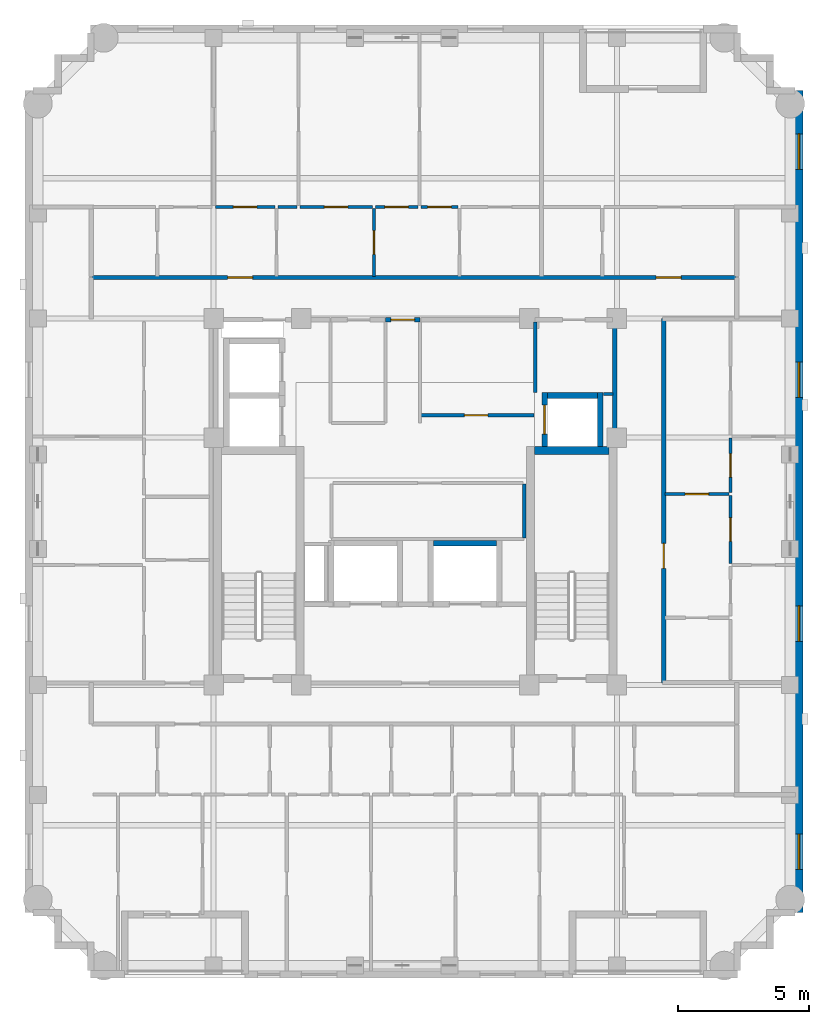
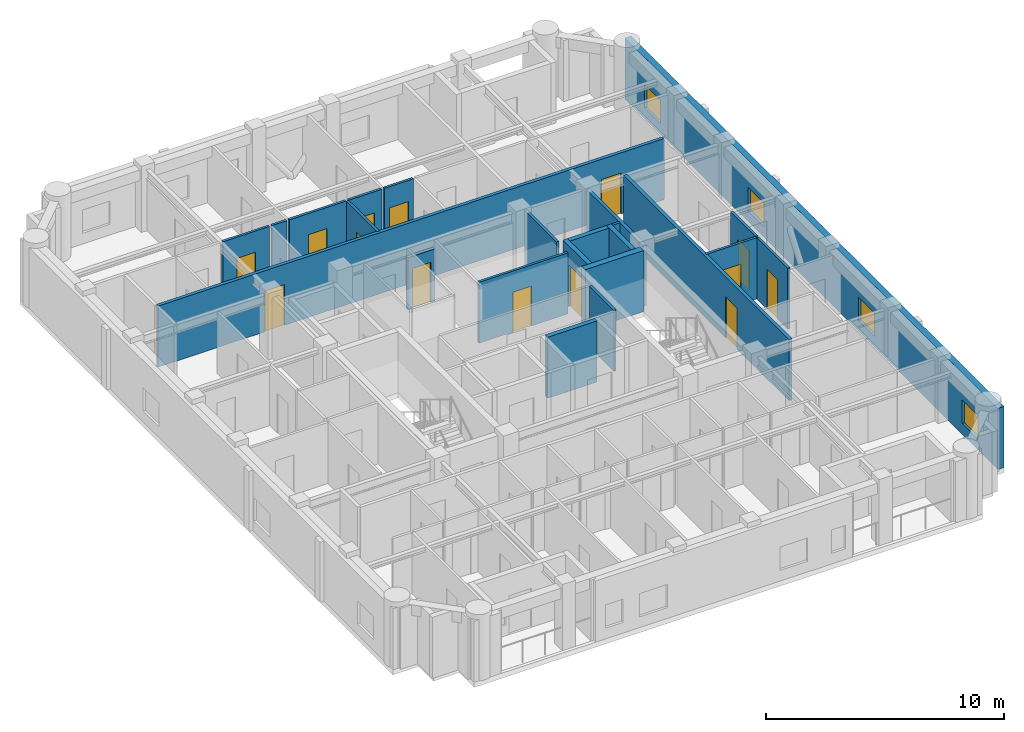
# One storey, part 6 of 11: 23 walls, 14 doors, 4 windows, 18 openings.
"""IFC4 building model written with IfcOpenShell, lengths in metres."""

import ifcopenshell
import ifcopenshell.guid

model = None  # the IFC model being written
_history = None  # IfcOwnerHistory: only IFC2X3 demands one
_inside = {}  # id of a spatial element -> (the spatial element, [elements in it])
_under = {}  # id of a project, library or spatial element -> (it, [spatial elements below it])
_declared = {}  # id of a project -> (the project, [libraries it declares])
_typed = {}  # id of a type object -> (the type object, [elements of that type])
_made_of = {}  # id of a material, layer set ... -> (it, [elements and type objects made of it])


def new_model(schema):
    """Start an empty IFC model of exactly this schema.

    Asked for "IFC4X3", IfcOpenShell would pick the latest addendum, in which some entities
    have other attributes; the version numbers below select the first issue.
    IFC2X3 requires an IfcOwnerHistory on every rooted entity: one is made here for all.
    """
    global model, _history
    if schema == "IFC4X3":
        model = ifcopenshell.file(schema_version=(4, 3, 0, 0))
    else:
        model = ifcopenshell.file(schema=schema)
    _inside.clear()
    _under.clear()
    _declared.clear()
    _typed.clear()
    _made_of.clear()
    _history = None
    if model.schema == "IFC2X3":
        org = make("IfcOrganization", Name="unknown")
        user = make(
            "IfcPersonAndOrganization",
            ThePerson=make("IfcPerson", FamilyName="unknown"),
            TheOrganization=org,
        )
        app = make(
            "IfcApplication",
            ApplicationDeveloper=org,
            Version="unknown",
            ApplicationFullName="unknown",
            ApplicationIdentifier="unknown",
        )
        _history = make(
            "IfcOwnerHistory",
            OwningUser=user,
            OwningApplication=app,
            ChangeAction="ADDED",
            CreationDate=0,
        )
    return model


def make(cls, **values):
    """One entity of the class cls with the attributes given. An attribute that is None is left unset."""
    return model.create_entity(
        cls, **{name: value for name, value in values.items() if value is not None}
    )


def rooted(cls, **values):
    """An entity with a GlobalId (a new one), such as an element, a storey or a relation."""
    return make(cls, GlobalId=ifcopenshell.guid.new(), OwnerHistory=_history, **values)


def si_unit(unit_type, name, prefix=None):
    """IfcSIUnit, for example si_unit("LENGTHUNIT", "METRE", prefix="MILLI")."""
    return make("IfcSIUnit", UnitType=unit_type, Prefix=prefix, Name=name)


def derived_unit(unit_type, elements):
    """IfcDerivedUnit: a product of units, each with its exponent."""
    return make(
        "IfcDerivedUnit",
        Elements=[
            make("IfcDerivedUnitElement", Unit=unit, Exponent=power)
            for unit, power in elements
        ],
        UnitType=unit_type,
    )


def assignment(units):
    """IfcUnitAssignment: the units of a project."""
    return None if units is None else make("IfcUnitAssignment", Units=units)


def point(xyz):
    """IfcCartesianPoint."""
    return None if xyz is None else make("IfcCartesianPoint", Coordinates=xyz)


def direction(xyz):
    """IfcDirection."""
    return None if xyz is None else make("IfcDirection", DirectionRatios=xyz)


def frame(location, z_axis=None, x_axis=None):
    """IfcAxis2Placement3D, a coordinate frame: its origin and axes. An axis left out is left unset."""
    return make(
        "IfcAxis2Placement3D",
        Location=point(location),
        Axis=direction(z_axis),
        RefDirection=direction(x_axis),
    )


def frame_2d(location, x_axis=None):
    """IfcAxis2Placement2D, a coordinate frame in the plane: its origin and x axis."""
    return make(
        "IfcAxis2Placement2D", Location=point(location), RefDirection=direction(x_axis)
    )


def origin():
    """The frame at (0, 0, 0) with its axes left unset."""
    return frame((0.0, 0.0, 0.0))


def place(relative_to, where):
    """IfcLocalPlacement: puts the frame where relative to a parent placement (None: the world)."""
    return make(
        "IfcLocalPlacement", PlacementRelTo=relative_to, RelativePlacement=where
    )


def context(
    kind, dimensions, precision=None, world=None, true_north=None, identifier=None
):
    """IfcGeometricRepresentationContext, for example the 3D "Model" context."""
    return make(
        "IfcGeometricRepresentationContext",
        ContextIdentifier=identifier,
        ContextType=kind,
        CoordinateSpaceDimension=dimensions,
        Precision=precision,
        WorldCoordinateSystem=world,
        TrueNorth=true_north,
    )


def subcontext(parent, identifier, kind, view, scale=None):
    """IfcGeometricRepresentationSubContext, for example "Body" below "Model"."""
    return make(
        "IfcGeometricRepresentationSubContext",
        ContextIdentifier=identifier,
        ContextType=kind,
        ParentContext=parent,
        TargetScale=scale,
        TargetView=view,
    )


def project(units=None, contexts=None):
    """IfcProject with its units and contexts."""
    return rooted(
        "IfcProject",
        Name="project",
        RepresentationContexts=contexts,
        UnitsInContext=assignment(units),
    )


def spatial(cls, under=None, at=None, **own):
    """A site, building, storey or space (cls), placed at a placement, below another one or the project."""
    s = rooted(cls, ObjectPlacement=at, **own)
    if under is not None:
        _under.setdefault(under.id(), (under, []))[1].append(s)
    return s


def profile(cls, at=None, kind="AREA", **sizes):
    """A parametric profile (cls). Its sizes go by their IFC names, for example OverallWidth=200.0."""
    return make(cls, ProfileType=kind, Position=at, **sizes)


def rectangle(**sizes):
    """IfcRectangleProfileDef."""
    return profile("IfcRectangleProfileDef", **sizes)


def extrude(swept, where, along, depth):
    """IfcExtrudedAreaSolid: the profile swept, set in the frame where, extruded along a direction by depth."""
    return make(
        "IfcExtrudedAreaSolid",
        SweptArea=swept,
        Position=where,
        ExtrudedDirection=direction(along),
        Depth=depth,
    )


def shape(context_of_items, identifier, shape_type, items):
    """IfcShapeRepresentation: the items that make up one representation, for example the "Body"."""
    return make(
        "IfcShapeRepresentation",
        ContextOfItems=context_of_items,
        RepresentationIdentifier=identifier,
        RepresentationType=shape_type,
        Items=items,
    )


def material(Name=None, Category=None):
    """IfcMaterial."""
    return make("IfcMaterial", Name=Name, Category=Category)


def layer(
    of_material, thickness, ventilated=None, Name=None, Category=None, Priority=None
):
    """IfcMaterialLayer: one layer of a wall or slab, of a material (None: an air gap)."""
    return make(
        "IfcMaterialLayer",
        Material=of_material,
        LayerThickness=thickness,
        IsVentilated=ventilated,
        Name=Name,
        Category=Category,
        Priority=Priority,
    )


def layer_set(layers, Name=None):
    """IfcMaterialLayerSet."""
    return make("IfcMaterialLayerSet", MaterialLayers=layers, LayerSetName=Name)


def made_of(thing, what):
    """Note that an element or type object is made of a material, layer set ...; save() writes the relation."""
    if what is not None:
        _made_of.setdefault(what.id(), (what, []))[1].append(thing)
    return thing


def type_object(cls, material=None, **own):
    """A type object (cls), such as IfcWallType, which elements share."""
    return made_of(rooted(cls, **own), material)


def element(
    cls,
    number,
    at=None,
    inside=None,
    cuts=None,
    type_object=None,
    material=None,
    context=None,
    identifier="Body",
    shape_type=None,
    held_by="IfcProductDefinitionShape",
    body=None,
    shapes=None,
    **own,
):
    """One element of the class cls, such as IfcWall. Its Tag is "e" and its number.

    at: its placement. inside: the storey or other place that contains it. cuts: it is an
    opening in that element (IfcRelVoidsElement). A single representation is given by context,
    identifier, shape_type and body (its items); several are given by shapes. held_by: the class
    of the entity that holds the representations. save() writes the other relations.
    """
    e = rooted(cls, Tag="e%d" % number, ObjectPlacement=at, **own)
    if body is not None:
        shapes = [shape(context, identifier, shape_type, body)]
    if shapes is not None:
        e.Representation = make(held_by, Representations=shapes)
    if inside is not None:
        _inside.setdefault(inside.id(), (inside, []))[1].append(e)
    if cuts is not None:
        rooted(
            "IfcRelVoidsElement", RelatingBuildingElement=cuts, RelatedOpeningElement=e
        )
    if type_object is not None:
        _typed.setdefault(type_object.id(), (type_object, []))[1].append(e)
    return made_of(e, material)


def fill(opening, filler):
    """IfcRelFillsElement: the door or window that sits in an opening."""
    return rooted(
        "IfcRelFillsElement",
        RelatingOpeningElement=opening,
        RelatedBuildingElement=filler,
    )


def aggregate(whole, parts):
    """IfcRelAggregates: a whole, such as a stair, and the parts it consists of."""
    return rooted("IfcRelAggregates", RelatingObject=whole, RelatedObjects=parts)


def save(model, path):
    """Write the relations noted so far, then the file.

    IfcRelAggregates (storeys below a building ...), IfcRelContainedInSpatialStructure (elements
    in a storey), IfcRelDefinesByType, IfcRelAssociatesMaterial and IfcRelDeclares: one each for
    every whole, place, type object, material and project.
    """
    for whole, parts in _under.values():
        aggregate(whole, parts)
    for where, things in _inside.values():
        rooted(
            "IfcRelContainedInSpatialStructure",
            RelatedElements=things,
            RelatingStructure=where,
        )
    for kind, things in _typed.values():
        rooted("IfcRelDefinesByType", RelatedObjects=things, RelatingType=kind)
    for what, things in _made_of.values():
        rooted("IfcRelAssociatesMaterial", RelatedObjects=things, RelatingMaterial=what)
    for by, libraries in _declared.values():
        rooted("IfcRelDeclares", RelatingContext=by, RelatedDefinitions=libraries)
    model.write(path)


model = new_model("IFC4")

# Units and contexts
model_context = context("Model", 3, precision=1e-05, world=origin(), true_north=direction((0.0, 1.0)))
body_context = subcontext(model_context, "Body", "Model", "MODEL_VIEW")
ifc_project = project(units=[si_unit("LENGTHUNIT", "METRE"), si_unit("AREAUNIT", "SQUARE_METRE"), si_unit("VOLUMEUNIT", "CUBIC_METRE"), si_unit("PLANEANGLEUNIT", "RADIAN"), si_unit("MASSUNIT", "GRAM", prefix="KILO"), derived_unit("THERMALTRANSMITTANCEUNIT", [(si_unit("MASSUNIT", "GRAM", prefix="KILO"), 1), (si_unit("TIMEUNIT", "SECOND"), -3), (si_unit("THERMODYNAMICTEMPERATUREUNIT", "KELVIN"), -1)])], contexts=[model_context])

# Site, building, storey
site_placement = place(None, origin())
site = spatial("IfcSite", under=ifc_project, at=site_placement, CompositionType="ELEMENT")
building_placement = place(site_placement, origin())
building = spatial("IfcBuilding", under=site, at=building_placement, Name="Korrvale Station Residences", CompositionType="ELEMENT")
storey_placement = place(building_placement, frame((0.0, 0.0, 224.10009765625)))
storey = spatial("IfcBuildingStorey", under=building, at=storey_placement, Name="L65", CompositionType="ELEMENT", Elevation=224.10009765625)

# Wall
ifc_material_1 = material(Name="Concrete C50/60", Category="concrete")
ifc_layer_1 = layer(ifc_material_1, 0.300048828125, Name="Concrete C50/60")
ifc_layer_set_1 = layer_set([ifc_layer_1], Name="Concrete C50/60")
wall_type_1 = type_object("IfcWallType", Name="WAL-CORE-300-C50", PredefinedType="SHEAR", material=ifc_layer_set_1)
wall_1_placement = place(storey_placement, frame((30.050048828125, 23.949951171875, 0.0), z_axis=(0.0, 0.0, 1.0), x_axis=(1.0, 0.0, 0.0)))
element("IfcWall", 1, at=wall_1_placement, inside=storey, type_object=wall_type_1, Name="L65 ST-2 Core Shear Wall North", PredefinedType="SHEAR", context=body_context, shape_type="SweptSolid", body=[
    extrude(rectangle(XDim=2.849853515625, YDim=0.300048828125, at=frame_2d((1.4248046875, 0.0))), origin(), (0.0, 0.0, 1.0), 3.139892578125),
])

# Wall, openings, windows
ifc_material_2 = material(Name="Precast concrete C45/55", Category="concrete")
ifc_layer_2 = layer(ifc_material_2, 0.300048828125, Name="Precast concrete C45/55")
ifc_layer_set_2 = layer_set([ifc_layer_2], Name="Precast concrete C45/55")
wall_type_2 = type_object("IfcWallType", Name="WAL-EXT-PC300", PredefinedType="SOLIDWALL", material=ifc_layer_set_2)
wall_2_placement = place(storey_placement, frame((40.14990234375, 37.699951171875, 0.0), z_axis=(0.0, 0.0, 1.0), x_axis=(0.0, -1.0, 0.0)))
wall_2 = element("IfcWall", 2, at=wall_2_placement, inside=storey, type_object=wall_type_2, Name="L65 East Exterior Precast Wall 1", PredefinedType="SOLIDWALL", context=body_context, shape_type="SweptSolid", body=[
    extrude(rectangle(XDim=31.39990234375, YDim=0.300048828125, at=frame_2d((15.699951171875, 0.0))), origin(), (0.0, 0.0, 1.0), 3.139892578125),
])
opening_1_placement = place(wall_2_placement, frame((28.39599609375, 0.0, 0.550048828125)))
opening_1 = element("IfcOpeningElement", 3, at=opening_1_placement, cuts=wall_2, Name="Opening W-10", PredefinedType="OPENING", context=body_context, shape_type="SweptSolid", body=[
    extrude(rectangle(XDim=1.35009765625, YDim=1.199951171875, at=frame_2d((0.675048828125, 0.60009765625))), frame((0.0, 0.16015625, 0.0), z_axis=(0.0, -1.0, 0.0), x_axis=(1.0, 0.0, 0.0)), (0.0, 0.0, 1.0), 0.320068359375),
])
opening_2_placement = place(wall_2_placement, frame((1.653076171875, 0.0, 0.550048828125)))
opening_2 = element("IfcOpeningElement", 4, at=opening_2_placement, cuts=wall_2, Name="Opening W-10", PredefinedType="OPENING", context=body_context, shape_type="SweptSolid", body=[
    extrude(rectangle(XDim=1.35009765625, YDim=1.199951171875, at=frame_2d((0.675048828125, 0.60009765625))), frame((0.0, 0.16015625, 0.0), z_axis=(0.0, -1.0, 0.0), x_axis=(1.0, 0.0, 0.0)), (0.0, 0.0, 1.0), 0.320068359375),
])
opening_3_placement = place(wall_2_placement, frame((19.68310546875, 0.0, 0.550048828125)))
opening_3 = element("IfcOpeningElement", 5, at=opening_3_placement, cuts=wall_2, Name="Opening W-10", PredefinedType="OPENING", context=body_context, shape_type="SweptSolid", body=[
    extrude(rectangle(XDim=1.35009765625, YDim=1.199951171875, at=frame_2d((0.675048828125, 0.60009765625))), frame((0.0, 0.16015625, 0.0), z_axis=(0.0, -1.0, 0.0), x_axis=(1.0, 0.0, 0.0)), (0.0, 0.0, 1.0), 0.320068359375),
])
opening_4_placement = place(wall_2_placement, frame((10.366943359375, 0.0, 0.550048828125)))
opening_4 = element("IfcOpeningElement", 6, at=opening_4_placement, cuts=wall_2, Name="Opening W-10", PredefinedType="OPENING", context=body_context, shape_type="SweptSolid", body=[
    extrude(rectangle(XDim=1.35009765625, YDim=1.199951171875, at=frame_2d((0.675048828125, 0.60009765625))), frame((0.0, 0.16015625, 0.0), z_axis=(0.0, -1.0, 0.0), x_axis=(1.0, 0.0, 0.0)), (0.0, 0.0, 1.0), 0.320068359375),
])
ifc_material_3 = material(Name="Thermally broken aluminium frame with triple low-e glazing", Category="aluminium")
window_type = type_object("IfcWindowType", Name="WIN-W10", PartitioningType="SINGLE_PANEL", PredefinedType="WINDOW", material=ifc_material_3)
window_1_placement = place(opening_1_placement, origin())
window_1 = element("IfcWindow", 7, at=window_1_placement, inside=storey, type_object=window_type, Name="L65 Punched Window 07", OverallHeight=1.199951171875, OverallWidth=1.35009765625, PartitioningType="SINGLE_PANEL", PredefinedType="WINDOW", context=body_context, shape_type="SweptSolid", body=[
    extrude(rectangle(XDim=1.35009765625, YDim=1.199951171875, at=frame_2d((0.675048828125, 0.60009765625))), frame((0.0, 0.030029296875, 0.0), z_axis=(0.0, -1.0, 0.0), x_axis=(1.0, 0.0, 0.0)), (0.0, 0.0, 1.0), 0.06005859375),
])
fill(opening_1, window_1)
window_2_placement = place(opening_2_placement, origin())
window_2 = element("IfcWindow", 8, at=window_2_placement, inside=storey, type_object=window_type, Name="L65 Punched Window 12", OverallHeight=1.199951171875, OverallWidth=1.35009765625, PartitioningType="SINGLE_PANEL", PredefinedType="WINDOW", context=body_context, shape_type="SweptSolid", body=[
    extrude(rectangle(XDim=1.35009765625, YDim=1.199951171875, at=frame_2d((0.675048828125, 0.60009765625))), frame((0.0, 0.030029296875, 0.0), z_axis=(0.0, -1.0, 0.0), x_axis=(1.0, 0.0, 0.0)), (0.0, 0.0, 1.0), 0.06005859375),
])
fill(opening_2, window_2)
window_3_placement = place(opening_3_placement, origin())
window_3 = element("IfcWindow", 9, at=window_3_placement, inside=storey, type_object=window_type, Name="L65 Punched Window 15", OverallHeight=1.199951171875, OverallWidth=1.35009765625, PartitioningType="SINGLE_PANEL", PredefinedType="WINDOW", context=body_context, shape_type="SweptSolid", body=[
    extrude(rectangle(XDim=1.35009765625, YDim=1.199951171875, at=frame_2d((0.675048828125, 0.60009765625))), frame((0.0, 0.030029296875, 0.0), z_axis=(0.0, -1.0, 0.0), x_axis=(1.0, 0.0, 0.0)), (0.0, 0.0, 1.0), 0.06005859375),
])
fill(opening_3, window_3)
window_4_placement = place(opening_4_placement, origin())
window_4 = element("IfcWindow", 10, at=window_4_placement, inside=storey, type_object=window_type, Name="L65 Punched Window 16", OverallHeight=1.199951171875, OverallWidth=1.35009765625, PartitioningType="SINGLE_PANEL", PredefinedType="WINDOW", context=body_context, shape_type="SweptSolid", body=[
    extrude(rectangle(XDim=1.35009765625, YDim=1.199951171875, at=frame_2d((0.675048828125, 0.60009765625))), frame((0.0, 0.030029296875, 0.0), z_axis=(0.0, -1.0, 0.0), x_axis=(1.0, 0.0, 0.0)), (0.0, 0.0, 1.0), 0.06005859375),
])
fill(opening_4, window_4)

# Walls
ifc_material_4 = material(Name="Acoustic steel-stud gypsum board partition", Category="steel")
ifc_layer_3 = layer(ifc_material_4, 0.1201171875, Name="Acoustic steel-stud gypsum board partition")
ifc_layer_set_3 = layer_set([ifc_layer_3], Name="Acoustic steel-stud gypsum board partition")
wall_type_3 = type_object("IfcWallType", Name="WAL-PART-125", PredefinedType="PARTITIONING", material=ifc_layer_set_3)
wall_3_placement = place(storey_placement, frame((30.080078125, 26.179931640625, 0.0), z_axis=(0.0, 0.0, 1.0), x_axis=(0.0, 1.0, 0.0)))
element("IfcWall", 11, at=wall_3_placement, inside=storey, type_object=wall_type_3, Name="L65 Core Partition CW-CS-W", PredefinedType="PARTITIONING", context=body_context, shape_type="SweptSolid", body=[
    extrude(rectangle(XDim=2.68017578125, YDim=0.1201171875, at=frame_2d((1.340087890625, 0.0))), origin(), (0.0, 0.0, 1.0), 3.139892578125),
])
wall_4_placement = place(storey_placement, frame((32.679931640625, 26.1201171875, 0.0), z_axis=(0.0, 0.0, 1.0), x_axis=(1.0, 0.0, 0.0)))
element("IfcWall", 12, at=wall_4_placement, inside=storey, type_object=wall_type_3, Name="L65 Core Partition CW-CS-S", PredefinedType="PARTITIONING", context=body_context, shape_type="SweptSolid", body=[
    extrude(rectangle(XDim=0.380126953125, YDim=0.1201171875, at=frame_2d((0.18994140625, 0.0))), origin(), (0.0, 0.0, 1.0), 3.139892578125),
])

# Wall, opening, door
wall_5_placement = place(storey_placement, frame((25.719970703125, 25.300048828125, 0.0), z_axis=(0.0, 0.0, 1.0), x_axis=(1.0, 0.0, 0.0)))
wall_5 = element("IfcWall", 13, at=wall_5_placement, inside=storey, type_object=wall_type_3, Name="L65 Core Partition CW-FPLE-S", PredefinedType="PARTITIONING", context=body_context, shape_type="SweptSolid", body=[
    extrude(rectangle(XDim=4.320068359375, YDim=0.1201171875, at=frame_2d((2.16015625, 0.0))), origin(), (0.0, 0.0, 1.0), 3.139892578125),
])
opening_5_placement = place(wall_5_placement, frame((1.64990234375, 0.0, 0.0)))
opening_5 = element("IfcOpeningElement", 14, at=opening_5_placement, cuts=wall_5, Name="Opening DI-900", PredefinedType="OPENING", context=body_context, shape_type="SweptSolid", body=[
    extrude(rectangle(XDim=0.89990234375, YDim=2.050048828125, at=frame_2d((0.449951171875, 1.02490234375))), frame((0.0, 0.070068359375, 0.0), z_axis=(0.0, -1.0, 0.0), x_axis=(1.0, 0.0, 0.0)), (0.0, 0.0, 1.0), 0.14013671875),
])
ifc_material_5 = material(Name="Painted solid-core timber interior room door", Category="wood")
door_type_1 = type_object("IfcDoorType", Name="DR-INT-900", OperationType="NOTDEFINED", PredefinedType="DOOR", material=ifc_material_5)
door_1_placement = place(opening_5_placement, origin())
door_1 = element("IfcDoor", 15, at=door_1_placement, inside=storey, type_object=door_type_1, Name="L65 Housekeeping Linen Door", OperationType="SINGLE_SWING_LEFT", OverallHeight=2.050048828125, OverallWidth=0.89990234375, PredefinedType="DOOR", context=body_context, shape_type="SweptSolid", body=[
    extrude(rectangle(XDim=0.89990234375, YDim=2.050048828125, at=frame_2d((0.449951171875, 1.02490234375))), frame((0.0, 0.02490234375, 0.0), z_axis=(0.0, -1.0, 0.0), x_axis=(1.0, 0.0, 0.0)), (0.0, 0.0, 1.0), 0.050048828125),
])
fill(opening_5, door_1)

# Wall
wall_6_placement = place(storey_placement, frame((29.659912109375, 20.6201171875, 0.0), z_axis=(0.0, 0.0, 1.0), x_axis=(0.0, 1.0, 0.0)))
element("IfcWall", 16, at=wall_6_placement, inside=storey, type_object=wall_type_3, Name="L65 Core Partition CW-FPM-E", PredefinedType="PARTITIONING", context=body_context, shape_type="SweptSolid", body=[
    extrude(rectangle(XDim=2.059814453125, YDim=0.1201171875, at=frame_2d((1.02978515625, 0.0))), origin(), (0.0, 0.0, 1.0), 3.139892578125),
])

# Wall, opening, door
wall_7_placement = place(storey_placement, frame((17.860107421875, 33.260009765625, 0.0), z_axis=(0.0, 0.0, 1.0), x_axis=(1.0, 0.0, 0.0)))
wall_7 = element("IfcWall", 17, at=wall_7_placement, inside=storey, type_object=wall_type_3, Name="L65 Suite Partition U02-H16", PredefinedType="PARTITIONING", context=body_context, shape_type="SweptSolid", body=[
    extrude(rectangle(XDim=2.27978515625, YDim=0.1201171875, at=frame_2d((1.139892578125, 0.0))), origin(), (0.0, 0.0, 1.0), 3.139892578125),
])
opening_6_placement = place(wall_7_placement, frame((0.68994140625, 0.0, 0.0)))
opening_6 = element("IfcOpeningElement", 18, at=opening_6_placement, cuts=wall_7, Name="Opening DI-900", PredefinedType="OPENING", context=body_context, shape_type="SweptSolid", body=[
    extrude(rectangle(XDim=0.89990234375, YDim=2.050048828125, at=frame_2d((0.449951171875, 1.02490234375))), frame((0.0, 0.070068359375, 0.0), z_axis=(0.0, -1.0, 0.0), x_axis=(1.0, 0.0, 0.0)), (0.0, 0.0, 1.0), 0.14013671875),
])
door_2_placement = place(opening_6_placement, origin())
door_2 = element("IfcDoor", 19, at=door_2_placement, inside=storey, type_object=door_type_1, Name="L65 Apartment 2BR L65-U02 Kitchen Door", OperationType="SINGLE_SWING_RIGHT", OverallHeight=2.050048828125, OverallWidth=0.89990234375, PredefinedType="DOOR", context=body_context, shape_type="SweptSolid", body=[
    extrude(rectangle(XDim=0.89990234375, YDim=2.050048828125, at=frame_2d((0.449951171875, 1.02490234375))), frame((0.0, 0.02490234375, 0.0), z_axis=(0.0, -1.0, 0.0), x_axis=(1.0, 0.0, 0.0)), (0.0, 0.0, 1.0), 0.050048828125),
])
fill(opening_6, door_2)

wall_8_placement = place(storey_placement, frame((23.919921875, 30.60009765625, 0.0), z_axis=(0.0, 0.0, 1.0), x_axis=(0.0, 1.0, 0.0)))
wall_8 = element("IfcWall", 20, at=wall_8_placement, inside=storey, type_object=wall_type_3, Name="L65 Suite Partition U02-V23", PredefinedType="PARTITIONING", context=body_context, shape_type="SweptSolid", body=[
    extrude(rectangle(XDim=2.599853515625, YDim=0.1201171875, at=frame_2d((1.2998046875, 0.0))), origin(), (0.0, 0.0, 1.0), 3.139892578125),
])
opening_7_placement = place(wall_8_placement, frame((0.85009765625, 0.0, 0.0)))
opening_7 = element("IfcOpeningElement", 21, at=opening_7_placement, cuts=wall_8, Name="Opening DI-900", PredefinedType="OPENING", context=body_context, shape_type="SweptSolid", body=[
    extrude(rectangle(XDim=0.89990234375, YDim=2.050048828125, at=frame_2d((0.449951171875, 1.02490234375))), frame((0.0, 0.070068359375, 0.0), z_axis=(0.0, -1.0, 0.0), x_axis=(1.0, 0.0, 0.0)), (0.0, 0.0, 1.0), 0.14013671875),
])
door_3_placement = place(opening_7_placement, origin())
door_3 = element("IfcDoor", 22, at=door_3_placement, inside=storey, type_object=door_type_1, Name="L65 Apartment 2BR L65-U02 Utility and Laundry Room Door", OperationType="SINGLE_SWING_LEFT", OverallHeight=2.050048828125, OverallWidth=0.89990234375, PredefinedType="DOOR", context=body_context, shape_type="SweptSolid", body=[
    extrude(rectangle(XDim=0.89990234375, YDim=2.050048828125, at=frame_2d((0.449951171875, 1.02490234375))), frame((0.0, 0.02490234375, 0.0), z_axis=(0.0, -1.0, 0.0), x_axis=(1.0, 0.0, 0.0)), (0.0, 0.0, 1.0), 0.050048828125),
])
fill(opening_7, door_3)

# Wall
wall_9_placement = place(storey_placement, frame((20.260009765625, 33.260009765625, 0.0), z_axis=(0.0, 0.0, 1.0), x_axis=(1.0, 0.0, 0.0)))
element("IfcWall", 23, at=wall_9_placement, inside=storey, type_object=wall_type_3, Name="L65 Suite Partition U02-H26", PredefinedType="PARTITIONING", context=body_context, shape_type="SweptSolid", body=[
    extrude(rectangle(XDim=0.717041015625, YDim=0.1201171875, at=frame_2d((0.3583984375, 0.0))), origin(), (0.0, 0.0, 1.0), 3.139892578125),
])

# Wall, opening, door
wall_10_placement = place(storey_placement, frame((21.096923828125, 33.260009765625, 0.0), z_axis=(0.0, 0.0, 1.0), x_axis=(1.0, 0.0, 0.0)))
wall_10 = element("IfcWall", 24, at=wall_10_placement, inside=storey, type_object=wall_type_3, Name="L65 Suite Partition U02-H27", PredefinedType="PARTITIONING", context=body_context, shape_type="SweptSolid", body=[
    extrude(rectangle(XDim=2.76318359375, YDim=0.1201171875, at=frame_2d((1.381591796875, 0.0))), origin(), (0.0, 0.0, 1.0), 3.139892578125),
])
opening_8_placement = place(wall_10_placement, frame((0.930908203125, 0.0, 0.0)))
opening_8 = element("IfcOpeningElement", 25, at=opening_8_placement, cuts=wall_10, Name="Opening DI-900", PredefinedType="OPENING", context=body_context, shape_type="SweptSolid", body=[
    extrude(rectangle(XDim=0.89990234375, YDim=2.050048828125, at=frame_2d((0.449951171875, 1.02490234375))), frame((0.0, 0.070068359375, 0.0), z_axis=(0.0, -1.0, 0.0), x_axis=(1.0, 0.0, 0.0)), (0.0, 0.0, 1.0), 0.14013671875),
])
door_4_placement = place(opening_8_placement, origin())
door_4 = element("IfcDoor", 26, at=door_4_placement, inside=storey, type_object=door_type_1, Name="L65 Apartment 2BR L65-U02 Utility and Laundry Room Door", OperationType="SINGLE_SWING_RIGHT", OverallHeight=2.050048828125, OverallWidth=0.89990234375, PredefinedType="DOOR", context=body_context, shape_type="SweptSolid", body=[
    extrude(rectangle(XDim=0.89990234375, YDim=2.050048828125, at=frame_2d((0.449951171875, 1.02490234375))), frame((0.0, 0.02490234375, 0.0), z_axis=(0.0, -1.0, 0.0), x_axis=(1.0, 0.0, 0.0)), (0.0, 0.0, 1.0), 0.050048828125),
])
fill(opening_8, door_4)

wall_11_placement = place(storey_placement, frame((23.97998046875, 33.260009765625, 0.0), z_axis=(0.0, 0.0, 1.0), x_axis=(1.0, 0.0, 0.0)))
wall_11 = element("IfcWall", 27, at=wall_11_placement, inside=storey, type_object=wall_type_3, Name="L65 Suite Partition U02-H37", PredefinedType="PARTITIONING", context=body_context, shape_type="SweptSolid", body=[
    extrude(rectangle(XDim=1.616943359375, YDim=0.1201171875, at=frame_2d((0.80859375, 0.0))), origin(), (0.0, 0.0, 1.0), 3.139892578125),
])
opening_9_placement = place(wall_11_placement, frame((0.35791015625, 0.0, 0.0)))
opening_9 = element("IfcOpeningElement", 28, at=opening_9_placement, cuts=wall_11, Name="Opening DI-900", PredefinedType="OPENING", context=body_context, shape_type="SweptSolid", body=[
    extrude(rectangle(XDim=0.89990234375, YDim=2.050048828125, at=frame_2d((0.449951171875, 1.02490234375))), frame((0.0, 0.070068359375, 0.0), z_axis=(0.0, -1.0, 0.0), x_axis=(1.0, 0.0, 0.0)), (0.0, 0.0, 1.0), 0.14013671875),
])
door_5_placement = place(opening_9_placement, origin())
door_5 = element("IfcDoor", 29, at=door_5_placement, inside=storey, type_object=door_type_1, Name="L65 Apartment 2BR L65-U02 Storage Closet 2 Door", OperationType="SINGLE_SWING_RIGHT", OverallHeight=2.050048828125, OverallWidth=0.89990234375, PredefinedType="DOOR", context=body_context, shape_type="SweptSolid", body=[
    extrude(rectangle(XDim=0.89990234375, YDim=2.050048828125, at=frame_2d((0.449951171875, 1.02490234375))), frame((0.0, 0.02490234375, 0.0), z_axis=(0.0, -1.0, 0.0), x_axis=(1.0, 0.0, 0.0)), (0.0, 0.0, 1.0), 0.050048828125),
])
fill(opening_9, door_5)

wall_12_placement = place(storey_placement, frame((25.717041015625, 33.260009765625, 0.0), z_axis=(0.0, 0.0, 1.0), x_axis=(1.0, 0.0, 0.0)))
wall_12 = element("IfcWall", 30, at=wall_12_placement, inside=storey, type_object=wall_type_3, Name="L65 Suite Partition U02-H38", PredefinedType="PARTITIONING", context=body_context, shape_type="SweptSolid", body=[
    extrude(rectangle(XDim=1.412841796875, YDim=0.1201171875, at=frame_2d((0.70654296875, 0.0))), origin(), (0.0, 0.0, 1.0), 3.139892578125),
])
opening_10_placement = place(wall_12_placement, frame((0.257080078125, 0.0, 0.0)))
opening_10 = element("IfcOpeningElement", 31, at=opening_10_placement, cuts=wall_12, Name="Opening DI-900", PredefinedType="OPENING", context=body_context, shape_type="SweptSolid", body=[
    extrude(rectangle(XDim=0.89990234375, YDim=2.050048828125, at=frame_2d((0.449951171875, 1.02490234375))), frame((0.0, 0.070068359375, 0.0), z_axis=(0.0, -1.0, 0.0), x_axis=(1.0, 0.0, 0.0)), (0.0, 0.0, 1.0), 0.14013671875),
])
door_6_placement = place(opening_10_placement, origin())
door_6 = element("IfcDoor", 32, at=door_6_placement, inside=storey, type_object=door_type_1, Name="L65 Apartment 2BR L65-U02 Storage Closet 2 Door", OperationType="SINGLE_SWING_LEFT", OverallHeight=2.050048828125, OverallWidth=0.89990234375, PredefinedType="DOOR", context=body_context, shape_type="SweptSolid", body=[
    extrude(rectangle(XDim=0.89990234375, YDim=2.050048828125, at=frame_2d((0.449951171875, 1.02490234375))), frame((0.0, 0.02490234375, 0.0), z_axis=(0.0, -1.0, 0.0), x_axis=(1.0, 0.0, 0.0)), (0.0, 0.0, 1.0), 0.050048828125),
])
fill(opening_10, door_6)

wall_13_placement = place(storey_placement, frame((35.030029296875, 22.2900390625, 0.0), z_axis=(0.0, 0.0, 1.0), x_axis=(1.0, 0.0, 0.0)))
wall_13 = element("IfcWall", 33, at=wall_13_placement, inside=storey, type_object=wall_type_3, Name="L65 Suite Partition U05-H02", PredefinedType="PARTITIONING", context=body_context, shape_type="SweptSolid", body=[
    extrude(rectangle(XDim=2.449951171875, YDim=0.1201171875, at=frame_2d((1.22509765625, 0.0))), origin(), (0.0, 0.0, 1.0), 3.139892578125),
])
opening_11_placement = place(wall_13_placement, frame((0.77490234375, 0.0, 0.0)))
opening_11 = element("IfcOpeningElement", 34, at=opening_11_placement, cuts=wall_13, Name="Opening DI-900", PredefinedType="OPENING", context=body_context, shape_type="SweptSolid", body=[
    extrude(rectangle(XDim=0.89990234375, YDim=2.050048828125, at=frame_2d((0.449951171875, 1.02490234375))), frame((0.0, 0.070068359375, 0.0), z_axis=(0.0, -1.0, 0.0), x_axis=(1.0, 0.0, 0.0)), (0.0, 0.0, 1.0), 0.14013671875),
])
door_7_placement = place(opening_11_placement, origin())
door_7 = element("IfcDoor", 35, at=door_7_placement, inside=storey, type_object=door_type_1, Name="L65 Apartment 2BR L65-U05 Wardrobe Storage Room Door", OperationType="SINGLE_SWING_LEFT", OverallHeight=2.050048828125, OverallWidth=0.89990234375, PredefinedType="DOOR", context=body_context, shape_type="SweptSolid", body=[
    extrude(rectangle(XDim=0.89990234375, YDim=2.050048828125, at=frame_2d((0.449951171875, 1.02490234375))), frame((0.0, 0.02490234375, 0.0), z_axis=(0.0, -1.0, 0.0), x_axis=(1.0, 0.0, 0.0)), (0.0, 0.0, 1.0), 0.050048828125),
])
fill(opening_11, door_7)

wall_14_placement = place(storey_placement, frame((37.5400390625, 22.35009765625, 0.0), z_axis=(0.0, 0.0, 1.0), x_axis=(0.0, 1.0, 0.0)))
wall_14 = element("IfcWall", 36, at=wall_14_placement, inside=storey, type_object=wall_type_3, Name="L65 Suite Partition U05-V04", PredefinedType="PARTITIONING", context=body_context, shape_type="SweptSolid", body=[
    extrude(rectangle(XDim=2.081787109375, YDim=0.1201171875, at=frame_2d((1.041015625, 0.0))), origin(), (0.0, 0.0, 1.0), 3.139892578125),
])
opening_12_placement = place(wall_14_placement, frame((0.591064453125, 0.0, 0.0)))
opening_12 = element("IfcOpeningElement", 37, at=opening_12_placement, cuts=wall_14, Name="Opening DI-900", PredefinedType="OPENING", context=body_context, shape_type="SweptSolid", body=[
    extrude(rectangle(XDim=0.89990234375, YDim=2.050048828125, at=frame_2d((0.449951171875, 1.02490234375))), frame((0.0, 0.070068359375, 0.0), z_axis=(0.0, -1.0, 0.0), x_axis=(1.0, 0.0, 0.0)), (0.0, 0.0, 1.0), 0.14013671875),
])
door_8_placement = place(opening_12_placement, origin())
door_8 = element("IfcDoor", 38, at=door_8_placement, inside=storey, type_object=door_type_1, Name="L65 Apartment 2BR L65-U05 Wardrobe Storage Room Door", OperationType="SINGLE_SWING_RIGHT", OverallHeight=2.050048828125, OverallWidth=0.89990234375, PredefinedType="DOOR", context=body_context, shape_type="SweptSolid", body=[
    extrude(rectangle(XDim=0.89990234375, YDim=2.050048828125, at=frame_2d((0.449951171875, 1.02490234375))), frame((0.0, 0.02490234375, 0.0), z_axis=(0.0, -1.0, 0.0), x_axis=(1.0, 0.0, 0.0)), (0.0, 0.0, 1.0), 0.050048828125),
])
fill(opening_12, door_8)

wall_15_placement = place(storey_placement, frame((37.5400390625, 19.637939453125, 0.0), z_axis=(0.0, 0.0, 1.0), x_axis=(0.0, 1.0, 0.0)))
wall_15 = element("IfcWall", 39, at=wall_15_placement, inside=storey, type_object=wall_type_3, Name="L65 Suite Partition U05-V24", PredefinedType="PARTITIONING", context=body_context, shape_type="SweptSolid", body=[
    extrude(rectangle(XDim=2.592041015625, YDim=0.1201171875, at=frame_2d((1.2958984375, 0.0))), origin(), (0.0, 0.0, 1.0), 3.139892578125),
])
opening_13_placement = place(wall_15_placement, frame((0.845947265625, 0.0, 0.0)))
opening_13 = element("IfcOpeningElement", 40, at=opening_13_placement, cuts=wall_15, Name="Opening DI-900", PredefinedType="OPENING", context=body_context, shape_type="SweptSolid", body=[
    extrude(rectangle(XDim=0.89990234375, YDim=2.050048828125, at=frame_2d((0.449951171875, 1.02490234375))), frame((0.0, 0.070068359375, 0.0), z_axis=(0.0, -1.0, 0.0), x_axis=(1.0, 0.0, 0.0)), (0.0, 0.0, 1.0), 0.14013671875),
])
door_9_placement = place(opening_13_placement, origin())
door_9 = element("IfcDoor", 41, at=door_9_placement, inside=storey, type_object=door_type_1, Name="L65 Apartment 2BR L65-U05 Kitchen Door", OperationType="SINGLE_SWING_RIGHT", OverallHeight=2.050048828125, OverallWidth=0.89990234375, PredefinedType="DOOR", context=body_context, shape_type="SweptSolid", body=[
    extrude(rectangle(XDim=0.89990234375, YDim=2.050048828125, at=frame_2d((0.449951171875, 1.02490234375))), frame((0.0, 0.02490234375, 0.0), z_axis=(0.0, -1.0, 0.0), x_axis=(1.0, 0.0, 0.0)), (0.0, 0.0, 1.0), 0.050048828125),
])
fill(opening_13, door_9)

# Wall
ifc_material_6 = material(Name="Fire-rated twin-stud gypsum and mineral wool shaftwall assembly", Category="gypsum")
ifc_layer_4 = layer(ifc_material_6, 0.159912109375, Name="Fire-rated twin-stud gypsum and mineral wool shaftwall assembly")
ifc_layer_set_4 = layer_set([ifc_layer_4], Name="Fire-rated twin-stud gypsum and mineral wool shaftwall assembly")
wall_type_4 = type_object("IfcWallType", Name="WAL-PART-200", PredefinedType="PARTITIONING", material=ifc_layer_set_4)
wall_16_placement = place(storey_placement, frame((33.1201171875, 24.1201171875, 0.0), z_axis=(0.0, 0.0, 1.0), x_axis=(0.0, 1.0, 0.0)))
element("IfcWall", 42, at=wall_16_placement, inside=storey, type_object=wall_type_4, Name="L65 Core Partition CW-E-N", PredefinedType="PARTITIONING", context=body_context, shape_type="SweptSolid", body=[
    extrude(rectangle(XDim=4.759765625, YDim=0.159912109375, at=frame_2d((2.3798828125, 0.0))), origin(), (0.0, 0.0, 1.0), 3.139892578125),
])

# Wall, opening, door
wall_17_placement = place(storey_placement, frame((24.360107421875, 28.949951171875, 0.0), z_axis=(0.0, 0.0, 1.0), x_axis=(1.0, 0.0, 0.0)))
wall_17 = element("IfcWall", 43, at=wall_17_placement, inside=storey, type_object=wall_type_4, Name="L65 Core Partition CW-LLOB-N", PredefinedType="PARTITIONING", context=body_context, shape_type="SweptSolid", body=[
    extrude(rectangle(XDim=1.31982421875, YDim=0.159912109375, at=frame_2d((0.659912109375, 0.0))), origin(), (0.0, 0.0, 1.0), 2.66796875),
])
opening_14_placement = place(wall_17_placement, frame((0.2099609375, 0.0, 0.0)))
opening_14 = element("IfcOpeningElement", 44, at=opening_14_placement, cuts=wall_17, Name="Opening DI-900", PredefinedType="OPENING", context=body_context, shape_type="SweptSolid", body=[
    extrude(rectangle(XDim=0.89990234375, YDim=2.050048828125, at=frame_2d((0.449951171875, 1.02490234375))), frame((0.0, 0.08984375, 0.0), z_axis=(0.0, -1.0, 0.0), x_axis=(1.0, 0.0, 0.0)), (0.0, 0.0, 1.0), 0.179931640625),
])
door_10_placement = place(opening_14_placement, origin())
door_10 = element("IfcDoor", 45, at=door_10_placement, inside=storey, type_object=door_type_1, Name="L65 Central Hallway North Passage Door", OperationType="SINGLE_SWING_LEFT", OverallHeight=2.050048828125, OverallWidth=0.89990234375, PredefinedType="DOOR", context=body_context, shape_type="SweptSolid", body=[
    extrude(rectangle(XDim=0.89990234375, YDim=2.050048828125, at=frame_2d((0.449951171875, 1.02490234375))), frame((0.0, 0.02490234375, 0.0), z_axis=(0.0, -1.0, 0.0), x_axis=(1.0, 0.0, 0.0)), (0.0, 0.0, 1.0), 0.050048828125),
])
fill(opening_14, door_10)

# Wall, openings, doors
wall_18_placement = place(storey_placement, frame((13.14990234375, 30.56005859375, 0.0), z_axis=(0.0, 0.0, 1.0), x_axis=(1.0, 0.0, 0.0)))
wall_18 = element("IfcWall", 46, at=wall_18_placement, inside=storey, type_object=wall_type_4, Name="L65 Rated Corridor Wall N", PredefinedType="PARTITIONING", context=body_context, shape_type="SweptSolid", body=[
    extrude(rectangle(XDim=24.60009765625, YDim=0.159912109375, at=frame_2d((12.300048828125, 0.0))), origin(), (0.0, 0.0, 1.0), 3.139892578125),
])
opening_15_placement = place(wall_18_placement, frame((5.18505859375, 0.0, 0.0)))
opening_15 = element("IfcOpeningElement", 47, at=opening_15_placement, cuts=wall_18, Name="Opening UD-950", PredefinedType="OPENING", context=body_context, shape_type="SweptSolid", body=[
    extrude(rectangle(XDim=0.949951171875, YDim=2.10009765625, at=frame_2d((0.47509765625, 1.050048828125))), frame((0.0, 0.08984375, 0.0), z_axis=(0.0, -1.0, 0.0), x_axis=(1.0, 0.0, 0.0)), (0.0, 0.0, 1.0), 0.179931640625),
])
opening_16_placement = place(wall_18_placement, frame((21.550048828125, 0.0, 0.0)))
opening_16 = element("IfcOpeningElement", 48, at=opening_16_placement, cuts=wall_18, Name="Opening UD-950", PredefinedType="OPENING", context=body_context, shape_type="SweptSolid", body=[
    extrude(rectangle(XDim=0.949951171875, YDim=2.10009765625, at=frame_2d((0.47509765625, 1.050048828125))), frame((0.0, 0.08984375, 0.0), z_axis=(0.0, -1.0, 0.0), x_axis=(1.0, 0.0, 0.0)), (0.0, 0.0, 1.0), 0.179931640625),
])
ifc_material_7 = material(Name="Solid-core acoustic oak apartment entrance door", Category="timber")
door_type_2 = type_object("IfcDoorType", Name="DR-UNIT-950", OperationType="NOTDEFINED", PredefinedType="DOOR", material=ifc_material_7)
door_11_placement = place(opening_15_placement, origin())
door_11 = element("IfcDoor", 49, at=door_11_placement, inside=storey, type_object=door_type_2, Name="L65 Apartment L65-U02 Entrance Door", OperationType="SINGLE_SWING_RIGHT", OverallHeight=2.10009765625, OverallWidth=0.949951171875, PredefinedType="DOOR", context=body_context, shape_type="SweptSolid", body=[
    extrude(rectangle(XDim=0.949951171875, YDim=2.10009765625, at=frame_2d((0.47509765625, 1.050048828125))), frame((0.0, 0.02490234375, 0.0), z_axis=(0.0, -1.0, 0.0), x_axis=(1.0, 0.0, 0.0)), (0.0, 0.0, 1.0), 0.050048828125),
])
fill(opening_15, door_11)
door_12_placement = place(opening_16_placement, origin())
door_12 = element("IfcDoor", 50, at=door_12_placement, inside=storey, type_object=door_type_2, Name="L65 Apartment L65-U03 Entrance Door", OperationType="SINGLE_SWING_LEFT", OverallHeight=2.10009765625, OverallWidth=0.949951171875, PredefinedType="DOOR", context=body_context, shape_type="SweptSolid", body=[
    extrude(rectangle(XDim=0.949951171875, YDim=2.10009765625, at=frame_2d((0.47509765625, 1.050048828125))), frame((0.0, 0.02490234375, 0.0), z_axis=(0.0, -1.0, 0.0), x_axis=(1.0, 0.0, 0.0)), (0.0, 0.0, 1.0), 0.050048828125),
])
fill(opening_16, door_12)

# Wall, opening, door
wall_19_placement = place(storey_placement, frame((34.989990234375, 15.070068359375, 0.0), z_axis=(0.0, 0.0, 1.0), x_axis=(0.0, 1.0, 0.0)))
wall_19 = element("IfcWall", 51, at=wall_19_placement, inside=storey, type_object=wall_type_4, Name="L65 Rated Corridor Wall E", PredefinedType="PARTITIONING", context=body_context, shape_type="SweptSolid", body=[
    extrude(rectangle(XDim=13.929931640625, YDim=0.159912109375, at=frame_2d((6.96484375, 0.0))), origin(), (0.0, 0.0, 1.0), 3.139892578125),
])
opening_17_placement = place(wall_19_placement, frame((4.385009765625, 0.0, 0.0)))
opening_17 = element("IfcOpeningElement", 52, at=opening_17_placement, cuts=wall_19, Name="Opening UD-950", PredefinedType="OPENING", context=body_context, shape_type="SweptSolid", body=[
    extrude(rectangle(XDim=0.949951171875, YDim=2.10009765625, at=frame_2d((0.47509765625, 1.050048828125))), frame((0.0, 0.08984375, 0.0), z_axis=(0.0, -1.0, 0.0), x_axis=(1.0, 0.0, 0.0)), (0.0, 0.0, 1.0), 0.179931640625),
])
door_13_placement = place(opening_17_placement, origin())
door_13 = element("IfcDoor", 53, at=door_13_placement, inside=storey, type_object=door_type_2, Name="L65 Apartment L65-U05 Entrance Door", OperationType="SINGLE_SWING_RIGHT", OverallHeight=2.10009765625, OverallWidth=0.949951171875, PredefinedType="DOOR", context=body_context, shape_type="SweptSolid", body=[
    extrude(rectangle(XDim=0.949951171875, YDim=2.10009765625, at=frame_2d((0.47509765625, 1.050048828125))), frame((0.0, 0.02490234375, 0.0), z_axis=(0.0, -1.0, 0.0), x_axis=(1.0, 0.0, 0.0)), (0.0, 0.0, 1.0), 0.050048828125),
])
fill(opening_17, door_13)

# Wall
ifc_layer_5 = layer(ifc_material_1, 0.219970703125, Name="Concrete C50/60")
ifc_layer_set_5 = layer_set([ifc_layer_5], Name="Concrete C50/60")
wall_type_5 = type_object("IfcWallType", Name="WAL-SHAFT-220-C50", PredefinedType="SHEAR", material=ifc_layer_set_5)
wall_20_placement = place(storey_placement, frame((30.550048828125, 26.06005859375, 0.0), z_axis=(0.0, 0.0, 1.0), x_axis=(1.0, 0.0, 0.0)))
element("IfcWall", 54, at=wall_20_placement, inside=storey, type_object=wall_type_5, Name="L65 Elevator PH-3 Hoistway Wall North", PredefinedType="SHEAR", context=body_context, shape_type="SweptSolid", body=[
    extrude(rectangle(XDim=1.89990234375, YDim=0.219970703125, at=frame_2d((0.949951171875, 0.0))), origin(), (0.0, 0.0, 1.0), 3.139892578125),
])

# Wall, opening, door
wall_21_placement = place(storey_placement, frame((30.43994140625, 24.10009765625, 0.0), z_axis=(0.0, 0.0, 1.0), x_axis=(0.0, 1.0, 0.0)))
wall_21 = element("IfcWall", 55, at=wall_21_placement, inside=storey, type_object=wall_type_5, Name="L65 Elevator PH-3 Hoistway Wall West", PredefinedType="SHEAR", context=body_context, shape_type="SweptSolid", body=[
    extrude(rectangle(XDim=2.06982421875, YDim=0.219970703125, at=frame_2d((1.034912109375, 0.0))), origin(), (0.0, 0.0, 1.0), 3.139892578125),
])
opening_18_placement = place(wall_21_placement, frame((0.485107421875, 0.0, 0.0)))
opening_18 = element("IfcOpeningElement", 56, at=opening_18_placement, cuts=wall_21, Name="Opening LD-1100", PredefinedType="OPENING", context=body_context, shape_type="SweptSolid", body=[
    extrude(rectangle(XDim=1.10009765625, YDim=2.14990234375, at=frame_2d((0.550048828125, 1.074951171875))), frame((0.0, 0.1201171875, 0.0), z_axis=(0.0, -1.0, 0.0), x_axis=(1.0, 0.0, 0.0)), (0.0, 0.0, 1.0), 0.239990234375),
])
ifc_material_8 = material(Name="Brushed stainless-steel elevator landing sliding door", Category="steel")
door_type_3 = type_object("IfcDoorType", Name="DR-LIFT-1100", OperationType="SLIDING_TO_LEFT", PredefinedType="DOOR", material=ifc_material_8)
door_14_placement = place(opening_18_placement, origin())
door_14 = element("IfcDoor", 57, at=door_14_placement, inside=storey, type_object=door_type_3, Name="L65 Elevator PH-3 Sliding Landing Door", OperationType="SLIDING_TO_LEFT", OverallHeight=2.14990234375, OverallWidth=1.10009765625, PredefinedType="DOOR", context=body_context, shape_type="SweptSolid", body=[
    extrude(rectangle(XDim=1.10009765625, YDim=2.14990234375, at=frame_2d((0.550048828125, 1.074951171875))), frame((0.0, 0.02490234375, 0.0), z_axis=(0.0, -1.0, 0.0), x_axis=(1.0, 0.0, 0.0)), (0.0, 0.0, 1.0), 0.050048828125),
])
fill(opening_18, door_14)

# Walls
wall_22_placement = place(storey_placement, frame((32.56005859375, 24.10009765625, 0.0), z_axis=(0.0, 0.0, 1.0), x_axis=(0.0, 1.0, 0.0)))
element("IfcWall", 58, at=wall_22_placement, inside=storey, type_object=wall_type_5, Name="L65 Elevator PH-3 Hoistway Wall East", PredefinedType="SHEAR", context=body_context, shape_type="SweptSolid", body=[
    extrude(rectangle(XDim=2.06982421875, YDim=0.219970703125, at=frame_2d((1.034912109375, 0.0))), origin(), (0.0, 0.0, 1.0), 3.139892578125),
])
wall_23_placement = place(storey_placement, frame((26.199951171875, 20.409912109375, 0.0), z_axis=(0.0, 0.0, 1.0), x_axis=(1.0, 0.0, 0.0)))
element("IfcWall", 59, at=wall_23_placement, inside=storey, type_object=wall_type_5, Name="L65 Elevator FFL-2 Hoistway Wall North", PredefinedType="SHEAR", context=body_context, shape_type="SweptSolid", body=[
    extrude(rectangle(XDim=2.400146484375, YDim=0.219970703125, at=frame_2d((1.2001953125, 0.0))), origin(), (0.0, 0.0, 1.0), 3.139892578125),
])

save(model, "model.ifc")
